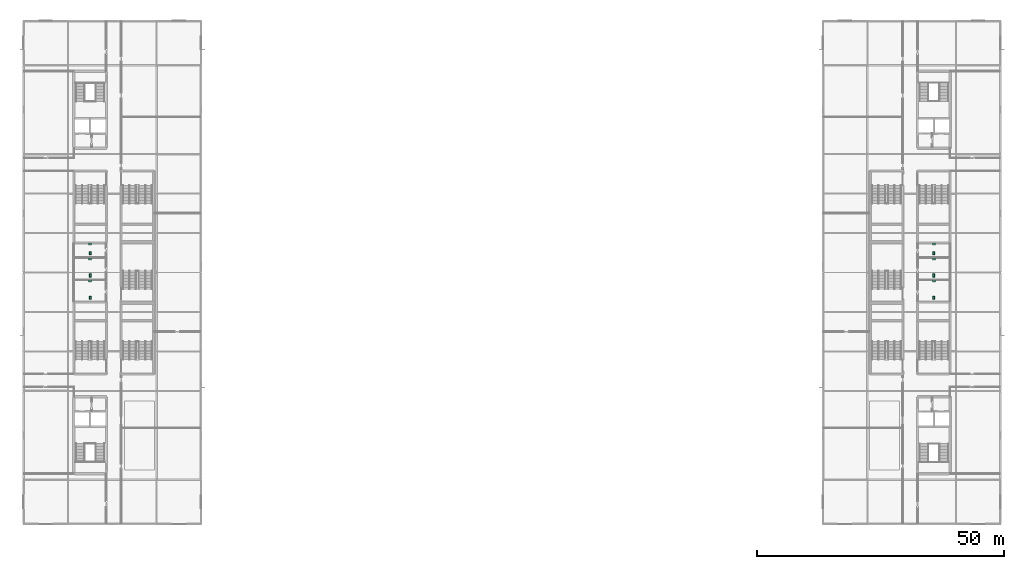
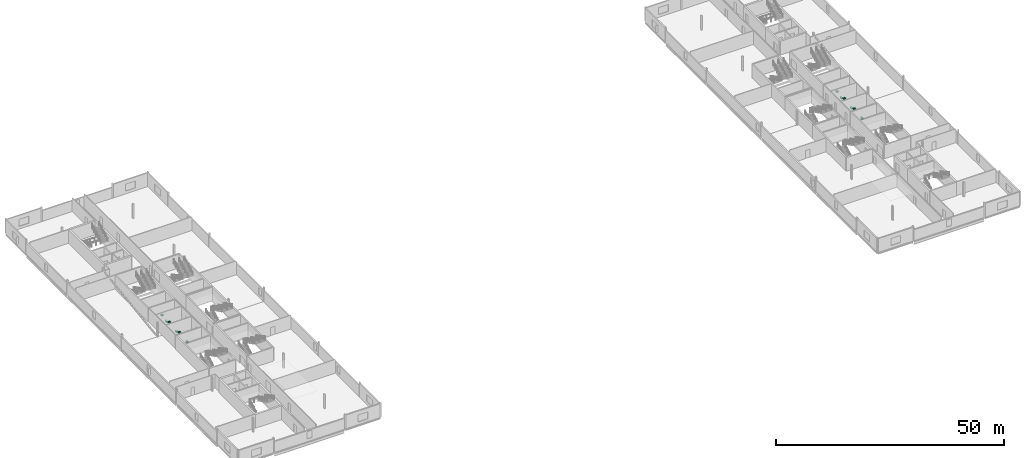
# One storey, part 27 of 27: 12 sanitary terminals.
"""IFC4 building model written with IfcOpenShell, lengths in metres."""

import ifcopenshell
import ifcopenshell.guid

model = None  # the IFC model being written
_history = None  # IfcOwnerHistory: only IFC2X3 demands one
_inside = {}  # id of a spatial element -> (the spatial element, [elements in it])
_under = {}  # id of a project, library or spatial element -> (it, [spatial elements below it])
_declared = {}  # id of a project -> (the project, [libraries it declares])
_typed = {}  # id of a type object -> (the type object, [elements of that type])
_made_of = {}  # id of a material, layer set ... -> (it, [elements and type objects made of it])


def new_model(schema):
    """Start an empty IFC model of exactly this schema.

    Asked for "IFC4X3", IfcOpenShell would pick the latest addendum, in which some entities
    have other attributes; the version numbers below select the first issue.
    IFC2X3 requires an IfcOwnerHistory on every rooted entity: one is made here for all.
    """
    global model, _history
    if schema == "IFC4X3":
        model = ifcopenshell.file(schema_version=(4, 3, 0, 0))
    else:
        model = ifcopenshell.file(schema=schema)
    _inside.clear()
    _under.clear()
    _declared.clear()
    _typed.clear()
    _made_of.clear()
    _history = None
    if model.schema == "IFC2X3":
        org = make("IfcOrganization", Name="unknown")
        user = make(
            "IfcPersonAndOrganization",
            ThePerson=make("IfcPerson", FamilyName="unknown"),
            TheOrganization=org,
        )
        app = make(
            "IfcApplication",
            ApplicationDeveloper=org,
            Version="unknown",
            ApplicationFullName="unknown",
            ApplicationIdentifier="unknown",
        )
        _history = make(
            "IfcOwnerHistory",
            OwningUser=user,
            OwningApplication=app,
            ChangeAction="ADDED",
            CreationDate=0,
        )
    return model


def make(cls, **values):
    """One entity of the class cls with the attributes given. An attribute that is None is left unset."""
    return model.create_entity(
        cls, **{name: value for name, value in values.items() if value is not None}
    )


def rooted(cls, **values):
    """An entity with a GlobalId (a new one), such as an element, a storey or a relation."""
    return make(cls, GlobalId=ifcopenshell.guid.new(), OwnerHistory=_history, **values)


def si_unit(unit_type, name, prefix=None):
    """IfcSIUnit, for example si_unit("LENGTHUNIT", "METRE", prefix="MILLI")."""
    return make("IfcSIUnit", UnitType=unit_type, Prefix=prefix, Name=name)


def assignment(units):
    """IfcUnitAssignment: the units of a project."""
    return None if units is None else make("IfcUnitAssignment", Units=units)


def point(xyz):
    """IfcCartesianPoint."""
    return None if xyz is None else make("IfcCartesianPoint", Coordinates=xyz)


def direction(xyz):
    """IfcDirection."""
    return None if xyz is None else make("IfcDirection", DirectionRatios=xyz)


def frame(location, z_axis=None, x_axis=None):
    """IfcAxis2Placement3D, a coordinate frame: its origin and axes. An axis left out is left unset."""
    return make(
        "IfcAxis2Placement3D",
        Location=point(location),
        Axis=direction(z_axis),
        RefDirection=direction(x_axis),
    )


def frame_2d(location, x_axis=None):
    """IfcAxis2Placement2D, a coordinate frame in the plane: its origin and x axis."""
    return make(
        "IfcAxis2Placement2D", Location=point(location), RefDirection=direction(x_axis)
    )


def origin():
    """The frame at (0, 0, 0) with its axes left unset."""
    return frame((0.0, 0.0, 0.0))


def origin_2d():
    """The frame at (0, 0) in the plane with its x axis left unset."""
    return frame_2d((0.0, 0.0))


def place(relative_to, where):
    """IfcLocalPlacement: puts the frame where relative to a parent placement (None: the world)."""
    return make(
        "IfcLocalPlacement", PlacementRelTo=relative_to, RelativePlacement=where
    )


def context(
    kind, dimensions, precision=None, world=None, true_north=None, identifier=None
):
    """IfcGeometricRepresentationContext, for example the 3D "Model" context."""
    return make(
        "IfcGeometricRepresentationContext",
        ContextIdentifier=identifier,
        ContextType=kind,
        CoordinateSpaceDimension=dimensions,
        Precision=precision,
        WorldCoordinateSystem=world,
        TrueNorth=true_north,
    )


def subcontext(parent, identifier, kind, view, scale=None):
    """IfcGeometricRepresentationSubContext, for example "Body" below "Model"."""
    return make(
        "IfcGeometricRepresentationSubContext",
        ContextIdentifier=identifier,
        ContextType=kind,
        ParentContext=parent,
        TargetScale=scale,
        TargetView=view,
    )


def project(units=None, contexts=None):
    """IfcProject with its units and contexts."""
    return rooted(
        "IfcProject",
        Name="project",
        RepresentationContexts=contexts,
        UnitsInContext=assignment(units),
    )


def spatial(cls, under=None, at=None, **own):
    """A site, building, storey or space (cls), placed at a placement, below another one or the project."""
    s = rooted(cls, ObjectPlacement=at, **own)
    if under is not None:
        _under.setdefault(under.id(), (under, []))[1].append(s)
    return s


def profile(cls, at=None, kind="AREA", **sizes):
    """A parametric profile (cls). Its sizes go by their IFC names, for example OverallWidth=200.0."""
    return make(cls, ProfileType=kind, Position=at, **sizes)


def rectangle(**sizes):
    """IfcRectangleProfileDef."""
    return profile("IfcRectangleProfileDef", **sizes)


def extrude(swept, where, along, depth):
    """IfcExtrudedAreaSolid: the profile swept, set in the frame where, extruded along a direction by depth."""
    return make(
        "IfcExtrudedAreaSolid",
        SweptArea=swept,
        Position=where,
        ExtrudedDirection=direction(along),
        Depth=depth,
    )


def shape(context_of_items, identifier, shape_type, items):
    """IfcShapeRepresentation: the items that make up one representation, for example the "Body"."""
    return make(
        "IfcShapeRepresentation",
        ContextOfItems=context_of_items,
        RepresentationIdentifier=identifier,
        RepresentationType=shape_type,
        Items=items,
    )


def material(Name=None, Category=None):
    """IfcMaterial."""
    return make("IfcMaterial", Name=Name, Category=Category)


def made_of(thing, what):
    """Note that an element or type object is made of a material, layer set ...; save() writes the relation."""
    if what is not None:
        _made_of.setdefault(what.id(), (what, []))[1].append(thing)
    return thing


def type_object(cls, material=None, **own):
    """A type object (cls), such as IfcWallType, which elements share."""
    return made_of(rooted(cls, **own), material)


def element(
    cls,
    number,
    at=None,
    inside=None,
    cuts=None,
    type_object=None,
    material=None,
    context=None,
    identifier="Body",
    shape_type=None,
    held_by="IfcProductDefinitionShape",
    body=None,
    shapes=None,
    **own,
):
    """One element of the class cls, such as IfcWall. Its Tag is "e" and its number.

    at: its placement. inside: the storey or other place that contains it. cuts: it is an
    opening in that element (IfcRelVoidsElement). A single representation is given by context,
    identifier, shape_type and body (its items); several are given by shapes. held_by: the class
    of the entity that holds the representations. save() writes the other relations.
    """
    e = rooted(cls, Tag="e%d" % number, ObjectPlacement=at, **own)
    if body is not None:
        shapes = [shape(context, identifier, shape_type, body)]
    if shapes is not None:
        e.Representation = make(held_by, Representations=shapes)
    if inside is not None:
        _inside.setdefault(inside.id(), (inside, []))[1].append(e)
    if cuts is not None:
        rooted(
            "IfcRelVoidsElement", RelatingBuildingElement=cuts, RelatedOpeningElement=e
        )
    if type_object is not None:
        _typed.setdefault(type_object.id(), (type_object, []))[1].append(e)
    return made_of(e, material)


def aggregate(whole, parts):
    """IfcRelAggregates: a whole, such as a stair, and the parts it consists of."""
    return rooted("IfcRelAggregates", RelatingObject=whole, RelatedObjects=parts)


def save(model, path):
    """Write the relations noted so far, then the file.

    IfcRelAggregates (storeys below a building ...), IfcRelContainedInSpatialStructure (elements
    in a storey), IfcRelDefinesByType, IfcRelAssociatesMaterial and IfcRelDeclares: one each for
    every whole, place, type object, material and project.
    """
    for whole, parts in _under.values():
        aggregate(whole, parts)
    for where, things in _inside.values():
        rooted(
            "IfcRelContainedInSpatialStructure",
            RelatedElements=things,
            RelatingStructure=where,
        )
    for kind, things in _typed.values():
        rooted("IfcRelDefinesByType", RelatedObjects=things, RelatingType=kind)
    for what, things in _made_of.values():
        rooted("IfcRelAssociatesMaterial", RelatedObjects=things, RelatingMaterial=what)
    for by, libraries in _declared.values():
        rooted("IfcRelDeclares", RelatingContext=by, RelatedDefinitions=libraries)
    model.write(path)


model = new_model("IFC4")

# Units and contexts
model_context = context("Model", 3, precision=1e-05, world=origin(), true_north=direction((0.0, 1.0)))
body_context = subcontext(model_context, "Body", "Model", "MODEL_VIEW")
ifc_project = project(units=[si_unit("LENGTHUNIT", "METRE"), si_unit("AREAUNIT", "SQUARE_METRE"), si_unit("VOLUMEUNIT", "CUBIC_METRE"), si_unit("PLANEANGLEUNIT", "RADIAN"), si_unit("MASSUNIT", "GRAM", prefix="KILO")], contexts=[model_context])

# Site, building, storey
site_placement = place(None, origin())
site = spatial("IfcSite", under=ifc_project, at=site_placement, CompositionType="ELEMENT")
building_placement = place(site_placement, origin())
building = spatial("IfcBuilding", under=site, at=building_placement, Name="Kisiwana Market Hall", CompositionType="ELEMENT")
storey_placement = place(building_placement, frame((0.0, 0.0, 41.699951171875)))
storey = spatial("IfcBuildingStorey", under=building, at=storey_placement, Name="L09", CompositionType="ELEMENT", Elevation=41.699951171875)

# Sanitary terminals
ifc_material_1 = material(Name="Vitreous china")
sanitary_terminal_type_1 = type_object("IfcSanitaryTerminalType", Name="SAN-BASIN", PredefinedType="WASHHANDBASIN", material=ifc_material_1)
for number, where, z_axis, x_axis, name in (
    (1, (13.5, 58.25, 0.68017578125), (0.0, 0.0, 1.0), (1.0, 0.0, 0.0), "Washhand basin L09-0061"),
    (2, (13.5, 62.75, 0.68017578125), (0.0, 0.0, 1.0), (1.0, 0.0, 0.0), "Washhand basin L09-0062"),
    (3, (13.5, 65.75, 0.68017578125), (0.0, 0.0, 1.0), (1.0, 0.0, 0.0), "Washhand basin L09-0063"),
    (4, (184.5, 58.25, 0.68017578125), (0.0, 0.0, 1.0), (1.0, 0.0, 0.0), "Washhand basin L09-0064"),
    (5, (184.5, 62.75, 0.68017578125), (0.0, 0.0, 1.0), (1.0, 0.0, 0.0), "Washhand basin L09-0065"),
    (6, (184.5, 65.75, 0.68017578125), (0.0, 0.0, 1.0), (1.0, 0.0, 0.0), "Washhand basin L09-0066"),
):
    element("IfcSanitaryTerminal", number, at=place(storey_placement, frame(where, z_axis=z_axis, x_axis=x_axis)), inside=storey, type_object=sanitary_terminal_type_1, Name=name, PredefinedType="WASHHANDBASIN", context=body_context, shape_type="SweptSolid", body=[
        extrude(rectangle(XDim=0.550048828125, YDim=0.449951171875, at=origin_2d()), origin(), (0.0, 0.0, 1.0), 0.199951171875),
    ])
ifc_material_2 = material(Name="Vitreous china")
sanitary_terminal_type_2 = type_object("IfcSanitaryTerminalType", Name="SAN-WC-PAN", PredefinedType="TOILETPAN", material=ifc_material_2)
for number, where, z_axis, x_axis, name in (
    (7, (13.5, 54.89990234375, 0.0), (0.0, 0.0, 1.0), (1.0, 0.0, 0.0), "WC pan L09-0061"),
    (8, (13.5, 59.39990234375, 0.0), (0.0, 0.0, 1.0), (1.0, 0.0, 0.0), "WC pan L09-0062"),
    (9, (13.5, 63.89990234375, 0.0), (0.0, 0.0, 1.0), (1.0, 0.0, 0.0), "WC pan L09-0063"),
    (10, (184.5, 54.89990234375, 0.0), (0.0, 0.0, 1.0), (1.0, 0.0, 0.0), "WC pan L09-0064"),
    (11, (184.5, 59.39990234375, 0.0), (0.0, 0.0, 1.0), (1.0, 0.0, 0.0), "WC pan L09-0065"),
    (12, (184.5, 63.89990234375, 0.0), (0.0, 0.0, 1.0), (1.0, 0.0, 0.0), "WC pan L09-0066"),
):
    element("IfcSanitaryTerminal", number, at=place(storey_placement, frame(where, z_axis=z_axis, x_axis=x_axis)), inside=storey, type_object=sanitary_terminal_type_2, Name=name, PredefinedType="TOILETPAN", context=body_context, shape_type="SweptSolid", body=[
        extrude(rectangle(XDim=0.39990234375, YDim=0.64990234375, at=origin_2d()), origin(), (0.0, 0.0, 1.0), 0.419921875),
    ])

save(model, "model.ifc")
